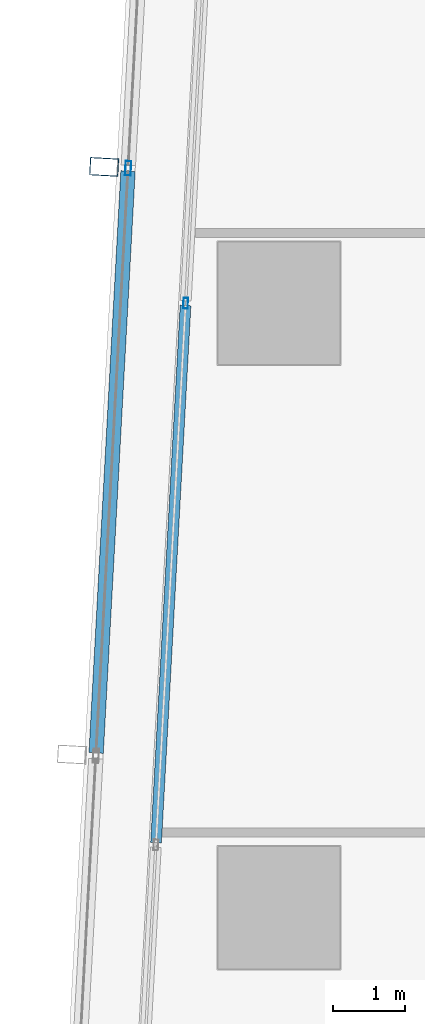
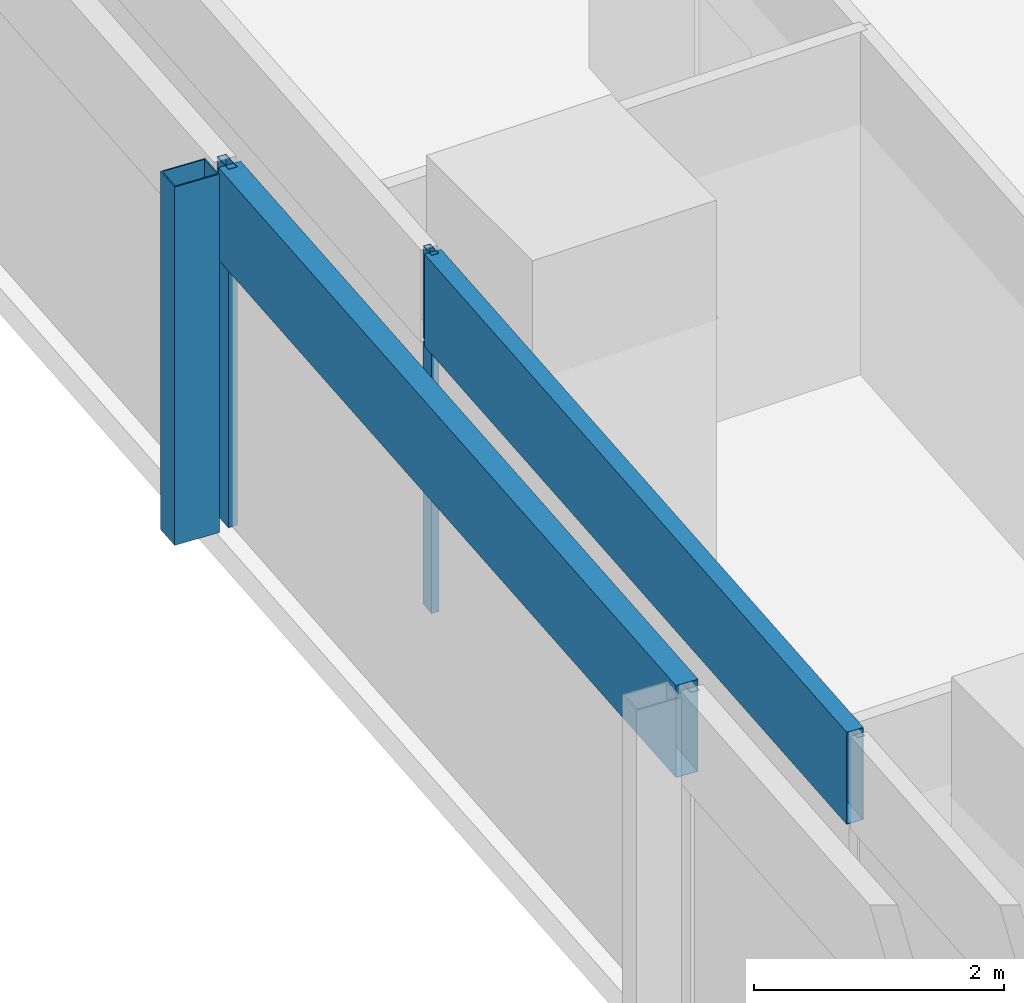
# One storey, part 14 of 40: 5 members, 2 elements without a shape of their own.
"""IFC4 building model written with IfcOpenShell, lengths in metres."""

from ifc_helpers import new_model, si_unit, direction, frame, origin, origin_2d, place, context, subcontext, project, spatial, hollow_rectangle, extrude, material, material_profile, profile_set, type_object, element, aggregate, save


model = new_model("IFC4")

# Units and contexts
model_context = context("Model", 3, precision=1e-05, world=origin(), true_north=direction((0.0, 1.0)))
body_context = subcontext(model_context, "Body", "Model", "MODEL_VIEW")
ifc_project = project(units=[si_unit("LENGTHUNIT", "METRE"), si_unit("AREAUNIT", "SQUARE_METRE"), si_unit("VOLUMEUNIT", "CUBIC_METRE"), si_unit("PLANEANGLEUNIT", "RADIAN"), si_unit("MASSUNIT", "GRAM", prefix="KILO")], contexts=[model_context])

# Site, building, storey
site_placement = place(None, origin())
site = spatial("IfcSite", under=ifc_project, at=site_placement, CompositionType="ELEMENT")
building_placement = place(site_placement, origin())
building = spatial("IfcBuilding", under=site, at=building_placement, Name="Rekha Terrace Tower", CompositionType="ELEMENT")
storey_placement = place(building_placement, frame((0.0, 0.0, 110.300048828125)))
storey = spatial("IfcBuildingStorey", under=building, at=storey_placement, Name="L27", CompositionType="ELEMENT", Elevation=110.300048828125)

# Curtain wall, member
ifc_material_1 = material(Name="Aluminium framing", Category="aluminium")
curtain_wall_type_1 = type_object("IfcCurtainWallType", Name="CW2 double skin outer glazing", PredefinedType="USERDEFINED", material=ifc_material_1)
curtain_wall_1_placement = place(storey_placement, origin())
curtain_wall_1 = element("IfcCurtainWall", 1, at=curtain_wall_1_placement, inside=storey, type_object=curtain_wall_type_1, Name="CW2 double skin outer glazing", ObjectType="DOUBLE SKIN OUTER GLAZING", PredefinedType="USERDEFINED")
ifc_material_2 = material(Name="Steel S355 with fluorocarbon finish", Category="steel")
ifc_material_profile_1 = material_profile(ifc_material_2, hollow_rectangle(XDim=0.25, YDim=0.39990234375, WallThickness=0.012451171875, at=origin_2d()), Name="RHS400x250x12.5")
ifc_profile_set_1 = profile_set([ifc_material_profile_1], Name="Steel S355 with fluorocarbon finish")
member_type_1 = type_object("IfcMemberType", Name="BL1 facade blade RHS 400 x 250", PredefinedType="USERDEFINED", material=ifc_profile_set_1)
member_1_placement = place(storey_placement, frame((5.969482421875, 52.29638671875, 0.0), z_axis=(0.0, 0.0, 1.0), x_axis=(-0.054742798353, -0.998500488747, 0.0)))
member_1 = element("IfcMember", 2, at=member_1_placement, type_object=member_type_1, Name="Facade blade", ObjectType="FACADE BLADE", PredefinedType="USERDEFINED", context=body_context, shape_type="SweptSolid", body=[
    extrude(hollow_rectangle(XDim=0.25, YDim=0.39990234375, WallThickness=0.012451171875, at=origin_2d()), origin(), (0.0, 0.0, 1.0), 3.5),
])

# Curtain wall, members
curtain_wall_type_2 = type_object("IfcCurtainWallType", Name="CW1 double skin inner glazing", PredefinedType="USERDEFINED", material=ifc_material_1)
curtain_wall_2_placement = place(storey_placement, origin())
curtain_wall_2 = element("IfcCurtainWall", 3, at=curtain_wall_2_placement, inside=storey, type_object=curtain_wall_type_2, Name="CW1 double skin inner glazing", ObjectType="DOUBLE SKIN INNER GLAZING", PredefinedType="USERDEFINED")
ifc_material_3 = material(Name="Aluminium mullion section", Category="aluminium")
ifc_material_profile_2 = material_profile(ifc_material_3, hollow_rectangle(XDim=0.06494140625, YDim=0.14990234375, WallThickness=0.00390625, at=origin_2d()), Name="AL RHS 65x150")
ifc_profile_set_2 = profile_set([ifc_material_profile_2], Name="Aluminium mullion section")
member_type_2 = type_object("IfcMemberType", Name="CW1 mullion RHS 65 x 150", PredefinedType="MULLION", material=ifc_profile_set_2)
member_2_placement = place(storey_placement, frame((7.1025390625, 50.40234375, 0.0), z_axis=(0.0, 0.0, 1.0), x_axis=(0.99850051318, -0.054742352707, 0.0)))
member_2 = element("IfcMember", 4, at=member_2_placement, type_object=member_type_2, Name="CW1 mullion 2", PredefinedType="MULLION", context=body_context, shape_type="SweptSolid", body=[
    extrude(hollow_rectangle(XDim=0.06494140625, YDim=0.14990234375, WallThickness=0.00390625, at=origin_2d()), origin(), (0.0, 0.0, 1.0), 3.5),
])
ifc_material_4 = material(Name="Insulated aluminium spandrel box", Category="aluminium")
ifc_material_profile_3 = material_profile(ifc_material_4, hollow_rectangle(XDim=0.14990234375, YDim=0.89990234375, WallThickness=0.0029296875, at=origin_2d()), Name="AL SPANDREL BOX 150x900")
ifc_profile_set_3 = profile_set([ifc_material_profile_3], Name="Insulated aluminium spandrel box")
member_type_3 = type_object("IfcMemberType", Name="CW1 spandrel transom 150 x 900", PredefinedType="USERDEFINED", material=ifc_profile_set_3)
member_3_placement = place(storey_placement, frame((7.100830078125, 50.369873046875, 3.050048828125), z_axis=(-0.054764629515, -0.998499291614, 0.0), x_axis=(0.998499291614, -0.054764629515, 0.0)))
member_3 = element("IfcMember", 5, at=member_3_placement, type_object=member_type_3, Name="CW1 spandrel transom 2", ObjectType="TRANSOM", PredefinedType="USERDEFINED", context=body_context, shape_type="SweptSolid", body=[
    extrude(hollow_rectangle(XDim=0.14990234375, YDim=0.89990234375, WallThickness=0.0029296875, at=origin_2d()), origin(), (0.0, 0.0, 1.0), 7.47607421875),
])
aggregate(curtain_wall_2, [member_2, member_3])

# Member
ifc_material_profile_4 = material_profile(ifc_material_3, hollow_rectangle(XDim=0.080078125, YDim=0.199951171875, WallThickness=0.00390625, at=origin_2d()), Name="AL RHS 80x200")
ifc_profile_set_4 = profile_set([ifc_material_profile_4], Name="Aluminium mullion section")
member_type_4 = type_object("IfcMemberType", Name="CW2 mullion RHS 80 x 200", PredefinedType="MULLION", material=ifc_profile_set_4)
member_4_placement = place(storey_placement, frame((6.303955078125, 52.278076171875, 0.0), z_axis=(0.0, 0.0, 1.0), x_axis=(0.99850051318, -0.054742352707, 0.0)))
member_4 = element("IfcMember", 6, at=member_4_placement, type_object=member_type_4, Name="CW2 mullion 2", PredefinedType="MULLION", context=body_context, shape_type="SweptSolid", body=[
    extrude(hollow_rectangle(XDim=0.080078125, YDim=0.199951171875, WallThickness=0.00390625, at=origin_2d()), origin(), (0.0, 0.0, 1.0), 3.5),
])

ifc_material_profile_5 = material_profile(ifc_material_4, hollow_rectangle(XDim=0.199951171875, YDim=0.89990234375, WallThickness=0.0029296875, at=origin_2d()), Name="AL SPANDREL BOX 200x900")
ifc_profile_set_5 = profile_set([ifc_material_profile_5], Name="Insulated aluminium spandrel box")
member_type_5 = type_object("IfcMemberType", Name="CW2 spandrel transom 200 x 900", PredefinedType="USERDEFINED", material=ifc_profile_set_5)
member_5_placement = place(storey_placement, frame((6.3017578125, 52.23828125, 3.050048828125), z_axis=(-0.054735499102, -0.998500888902, 0.0), x_axis=(0.998500888902, -0.054735499102, 0.0)))
member_5 = element("IfcMember", 7, at=member_5_placement, type_object=member_type_5, Name="CW2 spandrel transom 2", ObjectType="TRANSOM", PredefinedType="USERDEFINED", context=body_context, shape_type="SweptSolid", body=[
    extrude(hollow_rectangle(XDim=0.199951171875, YDim=0.89990234375, WallThickness=0.0029296875, at=origin_2d()), origin(), (0.0, 0.0, 1.0), 8.10009765625),
])

aggregate(curtain_wall_1, [member_4, member_5, member_1])

save(model, "model.ifc")
